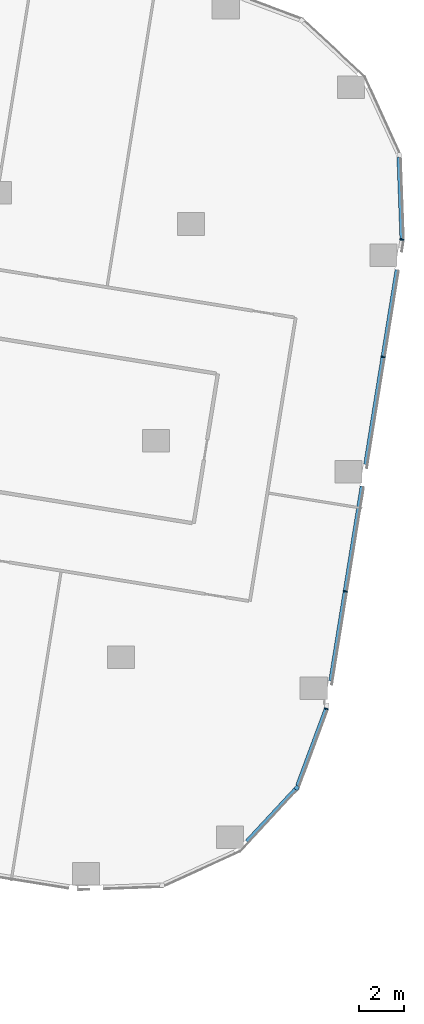
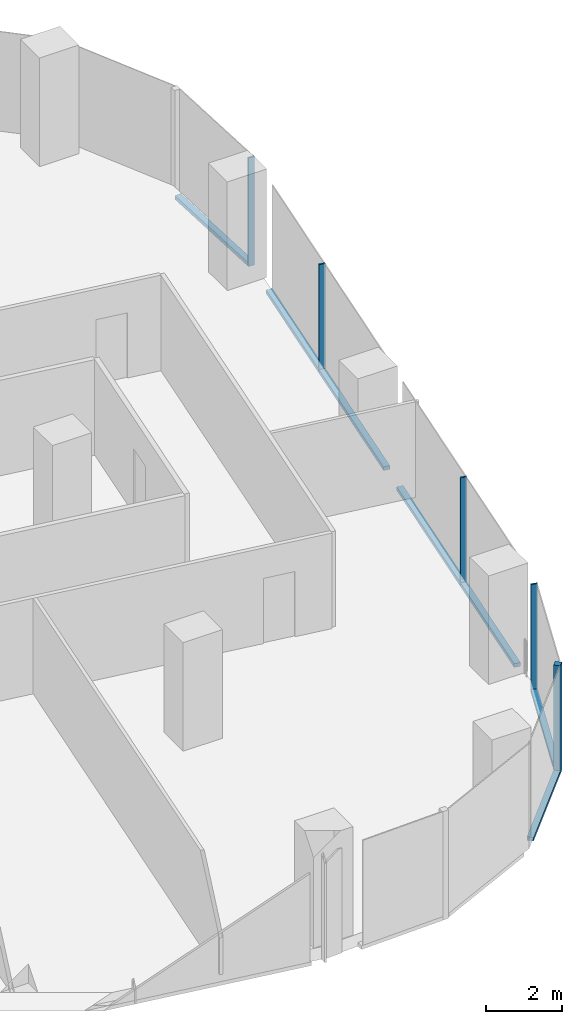
# One storey, part 10 of 34: 10 members, 4 elements without a shape of their own.
"""IFC4 building model written with IfcOpenShell, lengths in metres."""

from ifc_helpers import new_model, si_unit, direction, frame, origin, origin_2d, place, context, subcontext, project, spatial, rectangle, extrude, material, material_profile, profile_set, type_object, element, aggregate, save


model = new_model("IFC4")

# Units and contexts
model_context = context("Model", 3, precision=1e-05, world=origin(), true_north=direction((0.0, 1.0)))
body_context = subcontext(model_context, "Body", "Model", "MODEL_VIEW")
ifc_project = project(units=[si_unit("LENGTHUNIT", "METRE"), si_unit("AREAUNIT", "SQUARE_METRE"), si_unit("VOLUMEUNIT", "CUBIC_METRE"), si_unit("PLANEANGLEUNIT", "RADIAN"), si_unit("MASSUNIT", "GRAM", prefix="KILO")], contexts=[model_context])

# Site, building, storey
site_placement = place(None, origin())
site = spatial("IfcSite", under=ifc_project, at=site_placement, CompositionType="ELEMENT")
building_placement = place(site_placement, origin())
building = spatial("IfcBuilding", under=site, at=building_placement, Name="Orlundy Tower", CompositionType="ELEMENT")
storey_placement = place(building_placement, frame((0.0, 0.0, 130.699951171875)))
storey = spatial("IfcBuildingStorey", under=building, at=storey_placement, Name="L33", CompositionType="ELEMENT", Elevation=130.699951171875)

# Curtain wall, member
ifc_material_1 = material(Name="Aluminium bronze anodised", Category="aluminium")
curtain_wall_type = type_object("IfcCurtainWallType", Name="CW1 wall", PredefinedType="NOTDEFINED", material=ifc_material_1)
curtain_wall_1_placement = place(storey_placement, origin())
curtain_wall_1 = element("IfcCurtainWall", 1, at=curtain_wall_1_placement, inside=storey, type_object=curtain_wall_type, Name="CW1 run 013", PredefinedType="NOTDEFINED")
ifc_material_2 = material(Name="Aluminium bronze anodised", Category="aluminium")
ifc_material_profile_1 = material_profile(ifc_material_2, rectangle(XDim=0.179931640625, YDim=0.179931640625, at=origin_2d()), Name="CW1 corner post 180x180")
ifc_profile_set_1 = profile_set([ifc_material_profile_1], Name="Aluminium bronze anodised")
member_type_1 = type_object("IfcMemberType", Name="CW1 corner post 180x180", PredefinedType="MULLION", material=ifc_profile_set_1)
member_1_placement = place(storey_placement, frame((55.85205078125, -23.3671875, -0.39990234375), z_axis=(0.0, 0.0, 1.0), x_axis=(0.732274349196, -0.681009748469, 0.0)))
member_1 = element("IfcMember", 2, at=member_1_placement, type_object=member_type_1, Name="CW1 mullion 41", PredefinedType="MULLION", context=body_context, shape_type="SweptSolid", body=[
    extrude(rectangle(XDim=0.179931640625, YDim=0.179931640625, at=origin_2d()), origin(), (0.0, 0.0, 1.0), 3.5),
])

# Curtain wall, members
curtain_wall_2_placement = place(storey_placement, origin())
curtain_wall_2 = element("IfcCurtainWall", 3, at=curtain_wall_2_placement, inside=storey, type_object=curtain_wall_type, Name="CW1 run 011", PredefinedType="NOTDEFINED")
ifc_material_3 = material(Name="Aluminium bronze anodised", Category="aluminium")
ifc_material_profile_2 = material_profile(ifc_material_3, rectangle(XDim=0.179931640625, YDim=0.050048828125, at=origin_2d()), Name="CW1 mullion 50x180")
ifc_profile_set_2 = profile_set([ifc_material_profile_2], Name="Aluminium bronze anodised")
member_type_2 = type_object("IfcMemberType", Name="CW1 mullion 50x180", PredefinedType="MULLION", material=ifc_profile_set_2)
member_2_placement = place(storey_placement, frame((60.503173828125, 0.88134765625, -0.39990234375), z_axis=(0.0, 0.0, 1.0), x_axis=(0.998091535711, -0.061751812466, 0.0)))
member_2 = element("IfcMember", 4, at=member_2_placement, type_object=member_type_2, Name="CW1 mullion 36", PredefinedType="MULLION", context=body_context, shape_type="SweptSolid", body=[
    extrude(rectangle(XDim=0.179931640625, YDim=0.050048828125, at=origin_2d()), origin(), (0.0, 0.0, 1.0), 3.5),
])
member_3_placement = place(storey_placement, frame((59.665283203125, -4.310302734375, -0.39990234375), z_axis=(0.0, 0.0, 1.0), x_axis=(0.987225178566, -0.159331248677, 0.0)))
member_3 = element("IfcMember", 5, at=member_3_placement, type_object=member_type_2, Name="CW1 mullion 37", PredefinedType="MULLION", context=body_context, shape_type="SweptSolid", body=[
    extrude(rectangle(XDim=0.179931640625, YDim=0.050048828125, at=origin_2d()), origin(), (0.0, 0.0, 1.0), 3.5),
])
member_4_placement = place(storey_placement, frame((57.992431640625, -14.67626953125, -0.39990234375), z_axis=(0.0, 0.0, 1.0), x_axis=(0.987225178566, -0.159331248677, 0.0)))
member_4 = element("IfcMember", 6, at=member_4_placement, type_object=member_type_2, Name="CW1 mullion 39", PredefinedType="MULLION", context=body_context, shape_type="SweptSolid", body=[
    extrude(rectangle(XDim=0.179931640625, YDim=0.050048828125, at=origin_2d()), origin(), (0.0, 0.0, 1.0), 3.5),
])

# Curtain wall, member
curtain_wall_3_placement = place(storey_placement, origin())
curtain_wall_3 = element("IfcCurtainWall", 7, at=curtain_wall_3_placement, inside=storey, type_object=curtain_wall_type, Name="CW1 run 012", PredefinedType="NOTDEFINED")
member_5_placement = place(storey_placement, frame((57.154541015625, -19.8681640625, -0.39990234375), z_axis=(0.0, 0.0, 1.0), x_axis=(0.966861234208, -0.255302475086, 0.0)))
member_5 = element("IfcMember", 8, at=member_5_placement, type_object=member_type_2, Name="CW1 mullion 40", PredefinedType="MULLION", context=body_context, shape_type="SweptSolid", body=[
    extrude(rectangle(XDim=0.179931640625, YDim=0.050048828125, at=origin_2d()), origin(), (0.0, 0.0, 1.0), 3.5),
])

curtain_wall_4_placement = place(storey_placement, origin())
curtain_wall_4 = element("IfcCurtainWall", 9, at=curtain_wall_4_placement, inside=storey, type_object=curtain_wall_type, Name="CW1 run 010", PredefinedType="NOTDEFINED")
ifc_material_4 = material(Name="Aluminium bronze anodised", Category="aluminium")
ifc_material_profile_3 = material_profile(ifc_material_4, rectangle(XDim=0.179931640625, YDim=0.1201171875, at=origin_2d()), Name="CW1 transom 180x120")
ifc_profile_set_3 = profile_set([ifc_material_profile_3], Name="Aluminium bronze anodised")
member_type_3 = type_object("IfcMemberType", Name="CW1 transom 180x120", PredefinedType="USERDEFINED", material=ifc_profile_set_3)
member_6_placement = place(storey_placement, frame((60.37060546875, 4.522216796875, -0.33984375), z_axis=(0.036437636837, -0.999335928816, 0.0), x_axis=(0.999335928816, 0.036437636837, 0.0)))
member_6 = element("IfcMember", 10, at=member_6_placement, type_object=member_type_3, Name="CW1 transom", ObjectType="TRANSOM", PredefinedType="USERDEFINED", context=body_context, shape_type="SweptSolid", body=[
    extrude(rectangle(XDim=0.179931640625, YDim=0.1201171875, at=origin_2d()), origin(), (0.0, 0.0, 1.0), 3.6181640625),
])
aggregate(curtain_wall_4, [member_6])

# Member
member_7_placement = place(storey_placement, frame((60.287353515625, -0.45703125, -0.33984375), z_axis=(-0.15934776008, -0.987222513599, 0.0), x_axis=(0.987222513599, -0.15934776008, 0.0)))
member_7 = element("IfcMember", 11, at=member_7_placement, type_object=member_type_3, Name="CW1 transom", ObjectType="TRANSOM", PredefinedType="USERDEFINED", context=body_context, shape_type="SweptSolid", body=[
    extrude(rectangle(XDim=0.179931640625, YDim=0.1201171875, at=origin_2d()), origin(), (0.0, 0.0, 1.0), 8.71923828125),
])

member_8_placement = place(storey_placement, frame((58.74169921875, -10.032958984375, -0.33984375), z_axis=(-0.159323145254, -0.987226486368, 0.0), x_axis=(0.987226486368, -0.159323145254, 0.0)))
member_8 = element("IfcMember", 12, at=member_8_placement, type_object=member_type_3, Name="CW1 transom", ObjectType="TRANSOM", PredefinedType="USERDEFINED", context=body_context, shape_type="SweptSolid", body=[
    extrude(rectangle(XDim=0.179931640625, YDim=0.1201171875, at=origin_2d()), origin(), (0.0, 0.0, 1.0), 8.716064453125),
])

aggregate(curtain_wall_2, [member_2, member_3, member_4, member_7, member_8])

member_9_placement = place(storey_placement, frame((57.145751953125, -19.8916015625, -0.33984375), z_axis=(-0.34885524219, -0.937176621559, 0.0), x_axis=(0.937176621559, -0.34885524219, 0.0)))
member_9 = element("IfcMember", 13, at=member_9_placement, type_object=member_type_3, Name="CW1 transom", ObjectType="TRANSOM", PredefinedType="USERDEFINED", context=body_context, shape_type="SweptSolid", body=[
    extrude(rectangle(XDim=0.179931640625, YDim=0.1201171875, at=origin_2d()), origin(), (0.0, 0.0, 1.0), 3.611083984375),
])

aggregate(curtain_wall_3, [member_5, member_9])

member_10_placement = place(storey_placement, frame((55.790771484375, -23.43310546875, -0.33984375), z_axis=(-0.681025545886, -0.732259657397, 0.0), x_axis=(0.732259657397, -0.681025545886, 0.0)))
member_10 = element("IfcMember", 14, at=member_10_placement, type_object=member_type_3, Name="CW1 transom", ObjectType="TRANSOM", PredefinedType="USERDEFINED", context=body_context, shape_type="SweptSolid", body=[
    extrude(rectangle(XDim=0.179931640625, YDim=0.1201171875, at=origin_2d()), origin(), (0.0, 0.0, 1.0), 3.14501953125),
])

aggregate(curtain_wall_1, [member_1, member_10])

save(model, "model.ifc")
